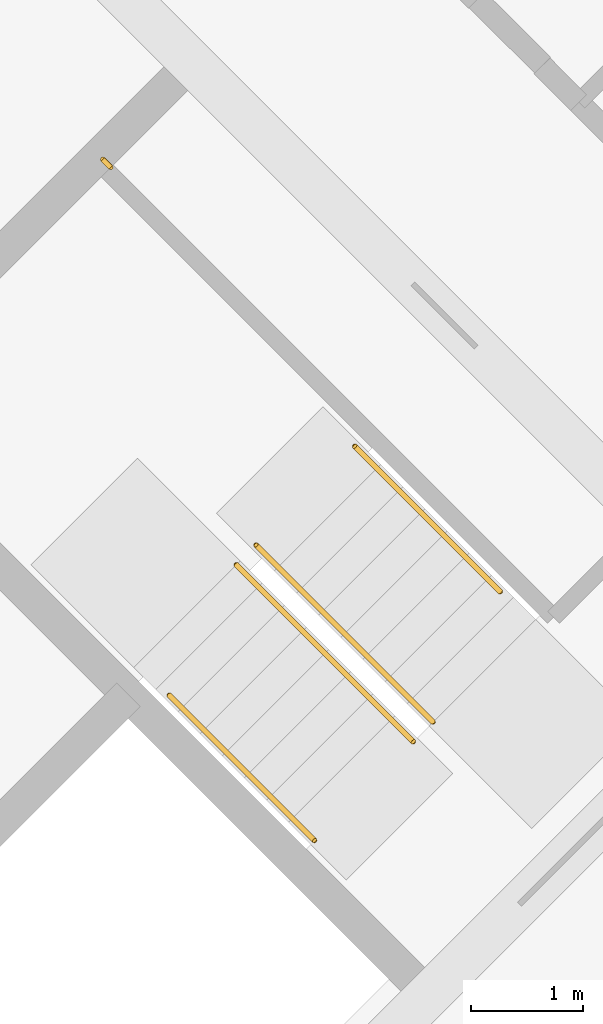
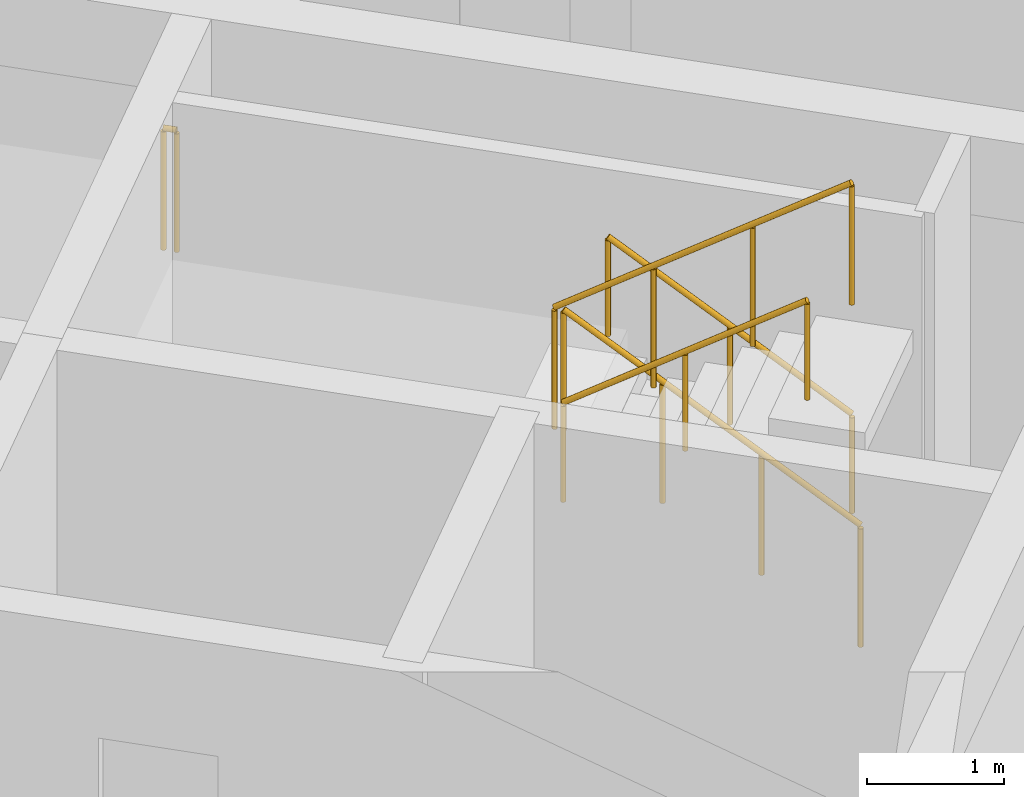
# One storey, part 11 of 11: 5 railings.
"""IFC4 building model written with IfcOpenShell, lengths in metres."""

from ifc_helpers import new_model, si_unit, direction, frame, origin, origin_2d, place, context, subcontext, project, spatial, circle, extrude, material, type_object, element, save


model = new_model("IFC4")

# Units and contexts
model_context = context("Model", 3, precision=1e-05, world=origin(), true_north=direction((0.0, 1.0)))
body_context = subcontext(model_context, "Body", "Model", "MODEL_VIEW")
ifc_project = project(units=[si_unit("LENGTHUNIT", "METRE"), si_unit("AREAUNIT", "SQUARE_METRE"), si_unit("VOLUMEUNIT", "CUBIC_METRE"), si_unit("PLANEANGLEUNIT", "RADIAN"), si_unit("MASSUNIT", "GRAM", prefix="KILO")], contexts=[model_context])

# Site, building, storey
site_placement = place(None, origin())
site = spatial("IfcSite", under=ifc_project, at=site_placement, CompositionType="ELEMENT")
building_placement = place(site_placement, origin())
building = spatial("IfcBuilding", under=site, at=building_placement, Name="Windrow Commons", CompositionType="ELEMENT")
storey_placement = place(building_placement, frame((0.0, 0.0, 281.2)))
storey = spatial("IfcBuildingStorey", under=building, at=storey_placement, Name="L77", CompositionType="ELEMENT", Elevation=281.2)

# Railings
ifc_material_1 = material(Name="Steel S355", Category="steel")
railing_type_1 = type_object("IfcRailingType", Name="Core stair guard 1100", PredefinedType="GUARDRAIL", material=ifc_material_1)
railing_1_placement = place(storey_placement, frame((94.2296, 48.4215, 0.1889)))
element("IfcRailing", 1, at=railing_1_placement, inside=storey, type_object=railing_type_1, Name="L77 ST-B2 stair guard 1", PredefinedType="GUARDRAIL", context=body_context, shape_type="SweptSolid", body=[
    extrude(circle(Radius=0.024, at=origin_2d()), frame((0.0, 0.0, 1.076), z_axis=(-0.5862157828, 0.5861787742, 0.5592365337), x_axis=(-0.7070844598, -0.7071291018, 0.0)), (0.0, 0.0, 1.0), 2.7021),
    extrude(circle(Radius=0.021, at=origin_2d()), origin(), (0.0, 0.0, 1.0), 1.052),
    extrude(circle(Radius=0.021, at=origin_2d()), frame((-0.528, 0.528, 0.5037)), (0.0, 0.0, 1.0), 1.052),
    extrude(circle(Radius=0.021, at=origin_2d()), frame((-1.056, 1.0559, 1.0074)), (0.0, 0.0, 1.0), 1.052),
    extrude(circle(Radius=0.021, at=origin_2d()), frame((-1.584, 1.5839, 1.5111)), (0.0, 0.0, 1.0), 1.052),
])
railing_2_placement = place(storey_placement, frame((92.4689, 49.8287, 1.8889)))
element("IfcRailing", 2, at=railing_2_placement, inside=storey, type_object=railing_type_1, Name="L77 ST-B2 stair guard 2", PredefinedType="GUARDRAIL", context=body_context, shape_type="SweptSolid", body=[
    extrude(circle(Radius=0.024, at=origin_2d()), frame((0.0, 0.0, 1.076), z_axis=(0.5861787742, -0.5862157828, 0.5592365337), x_axis=(0.7071291018, 0.7070844598, 0.0)), (0.0, 0.0, 1.0), 2.7021),
    extrude(circle(Radius=0.021, at=origin_2d()), origin(), (0.0, 0.0, 1.0), 1.052),
    extrude(circle(Radius=0.021, at=origin_2d()), frame((0.528, -0.528, 0.5037)), (0.0, 0.0, 1.0), 1.052),
    extrude(circle(Radius=0.021, at=origin_2d()), frame((1.0559, -1.056, 1.0074)), (0.0, 0.0, 1.0), 1.052),
    extrude(circle(Radius=0.021, at=origin_2d()), frame((1.5839, -1.584, 1.5111)), (0.0, 0.0, 1.0), 1.052),
])
railing_3_placement = place(storey_placement, frame((91.3446, 53.3854, 1.7)))
element("IfcRailing", 3, at=railing_3_placement, inside=storey, type_object=railing_type_1, Name="L77 ST-B2 stair guard 3", PredefinedType="GUARDRAIL", context=body_context, shape_type="SweptSolid", body=[
    extrude(circle(Radius=0.024, at=origin_2d()), frame((0.0, 0.0, 1.076), z_axis=(-0.7076063266, 0.7066068826, 0.0), x_axis=(-0.7066068826, -0.7076063266, 0.0)), (0.0, 0.0, 1.0), 0.1001),
    extrude(circle(Radius=0.021, at=origin_2d()), origin(), (0.0, 0.0, 1.0), 1.052),
    extrude(circle(Radius=0.021, at=origin_2d()), frame((-0.0708, 0.0707, 0.0)), (0.0, 0.0, 1.0), 1.052),
])
ifc_material_2 = material(Name="Steel S355", Category="steel")
railing_type_2 = type_object("IfcRailingType", Name="Core stair handrail 900", PredefinedType="HANDRAIL", material=ifc_material_2)
railing_4_placement = place(storey_placement, frame((94.8306, 49.5883, 0.4587)))
element("IfcRailing", 4, at=railing_4_placement, inside=storey, type_object=railing_type_2, Name="L77 ST-B2 stair handrail 1", PredefinedType="HANDRAIL", context=body_context, shape_type="SweptSolid", body=[
    extrude(circle(Radius=0.024, at=origin_2d()), frame((0.0, 0.0, 0.876), z_axis=(-0.586206706, 0.5861616513, 0.5592639952), x_axis=(-0.7070796062, -0.7071339551, 0.0)), (0.0, 0.0, 1.0), 2.2195),
    extrude(circle(Radius=0.021, at=origin_2d()), origin(), (0.0, 0.0, 1.0), 0.852),
    extrude(circle(Radius=0.021, at=origin_2d()), frame((-0.6506, 0.6505, 0.6206)), (0.0, 0.0, 1.0), 0.852),
    extrude(circle(Radius=0.021, at=origin_2d()), frame((-1.3011, 1.301, 1.2413)), (0.0, 0.0, 1.0), 0.852),
])
railing_5_placement = place(storey_placement, frame((91.8678, 48.6619, 2.1587)))
element("IfcRailing", 5, at=railing_5_placement, inside=storey, type_object=railing_type_2, Name="L77 ST-B2 stair handrail 2", PredefinedType="HANDRAIL", context=body_context, shape_type="SweptSolid", body=[
    extrude(circle(Radius=0.024, at=origin_2d()), frame((0.0, 0.0, 0.876), z_axis=(0.586206706, -0.5861616513, 0.5592639952), x_axis=(0.7070796062, 0.7071339551, 0.0)), (0.0, 0.0, 1.0), 2.2195),
    extrude(circle(Radius=0.021, at=origin_2d()), origin(), (0.0, 0.0, 1.0), 0.852),
    extrude(circle(Radius=0.021, at=origin_2d()), frame((0.6505, -0.6505, 0.6207)), (0.0, 0.0, 1.0), 0.852),
    extrude(circle(Radius=0.021, at=origin_2d()), frame((1.3011, -1.301, 1.2413)), (0.0, 0.0, 1.0), 0.852),
])

save(model, "model.ifc")
